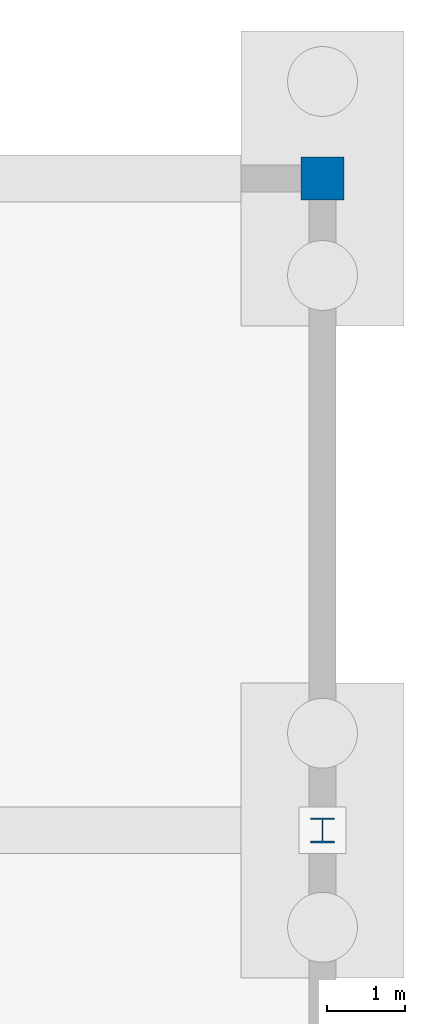
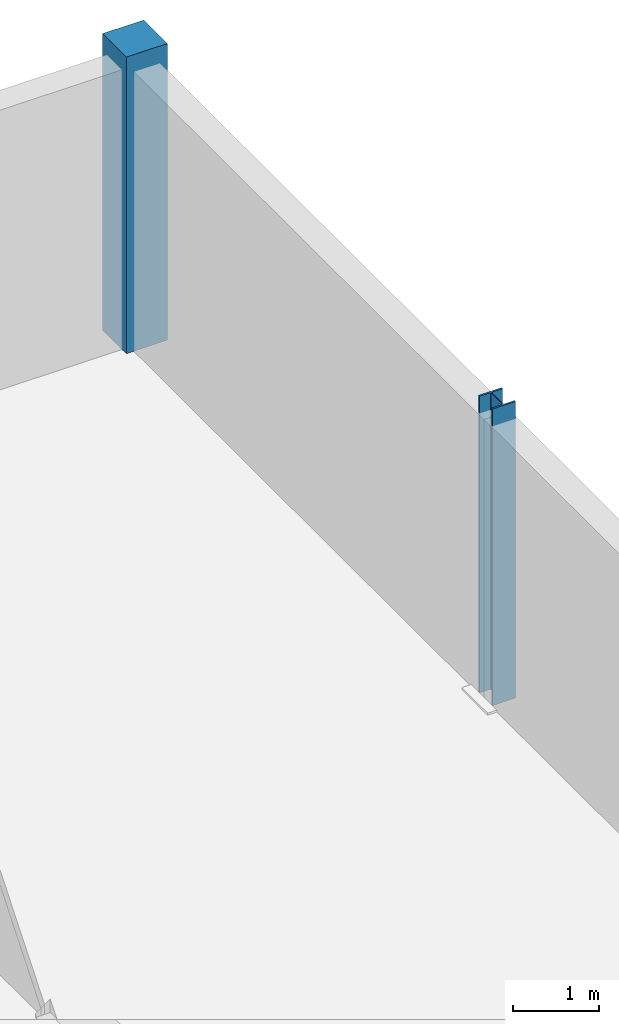
# One storey, part 14 of 32: 2 columns.
"""IFC4 building model written with IfcOpenShell, lengths in metres."""

from ifc_helpers import new_model, si_unit, direction, frame, origin, origin_2d, place, context, subcontext, project, spatial, rectangle, i_section, extrude, material, material_profile, profile_set, type_object, element, save


model = new_model("IFC4")

# Units and contexts
model_context = context("Model", 3, precision=1e-05, world=origin(), true_north=direction((0.0, 1.0)))
body_context = subcontext(model_context, "Body", "Model", "MODEL_VIEW")
ifc_project = project(units=[si_unit("LENGTHUNIT", "METRE"), si_unit("AREAUNIT", "SQUARE_METRE"), si_unit("VOLUMEUNIT", "CUBIC_METRE"), si_unit("PLANEANGLEUNIT", "RADIAN"), si_unit("MASSUNIT", "GRAM", prefix="KILO")], contexts=[model_context])

# Site, building, storey
site_placement = place(None, origin())
site = spatial("IfcSite", under=ifc_project, at=site_placement, CompositionType="ELEMENT")
building_placement = place(site_placement, origin())
building = spatial("IfcBuilding", under=site, at=building_placement, Name="Qelthora Terrace Specialist Clinic", CompositionType="ELEMENT")
storey_placement = place(building_placement, frame((0.0, 0.0, -4.199951171875)))
storey = spatial("IfcBuildingStorey", under=building, at=storey_placement, Name="B1", CompositionType="ELEMENT", Elevation=-4.199951171875)

# Columns
ifc_material_1 = material(Name="Concrete C40/50", Category="concrete")
ifc_material_profile_1 = material_profile(ifc_material_1, rectangle(XDim=0.550048828125, YDim=0.550048828125, at=origin_2d()), Name="RC550X550")
ifc_profile_set_1 = profile_set([ifc_material_profile_1], Name="Concrete C40/50")
column_type_1 = type_object("IfcColumnType", Name="COL-RC550", PredefinedType="COLUMN", material=ifc_profile_set_1)
column_1_placement = place(storey_placement, frame((50.39990234375, 109.199951171875, 0.0), z_axis=(0.0, 0.0, 1.0), x_axis=(1.0, 0.0, 0.0)))
element("IfcColumn", 1, at=column_1_placement, inside=storey, type_object=column_type_1, Name="Column B1-099", PredefinedType="COLUMN", context=body_context, shape_type="SweptSolid", body=[
    extrude(rectangle(XDim=0.550048828125, YDim=0.550048828125, at=origin_2d()), origin(), (0.0, 0.0, 1.0), 4.199951171875),
])
ifc_material_2 = material(Name="Steel S355", Category="steel")
ifc_material_profile_2 = material_profile(ifc_material_2, i_section(OverallWidth=0.30908203125, OverallDepth=0.322998046875, WebThickness=0.013916015625, FlangeThickness=0.02294921875, FilletRadius=0.01611328125, at=origin_2d()), Name="W310X143")
ifc_profile_set_2 = profile_set([ifc_material_profile_2], Name="Steel S355")
column_type_2 = type_object("IfcColumnType", Name="COL-W310X143", PredefinedType="COLUMN", material=ifc_profile_set_2)
column_2_placement = place(storey_placement, frame((50.39990234375, 100.800048828125, 0.0), z_axis=(0.0, 0.0, 1.0), x_axis=(1.0, 0.0, 0.0)))
element("IfcColumn", 2, at=column_2_placement, inside=storey, type_object=column_type_2, Name="Column B1-098", PredefinedType="COLUMN", context=body_context, shape_type="SweptSolid", body=[
    extrude(i_section(OverallWidth=0.30908203125, OverallDepth=0.322998046875, WebThickness=0.013916015625, FlangeThickness=0.02294921875, FilletRadius=0.01611328125, at=origin_2d()), origin(), (0.0, 0.0, 1.0), 4.199951171875),
])

save(model, "model.ifc")
